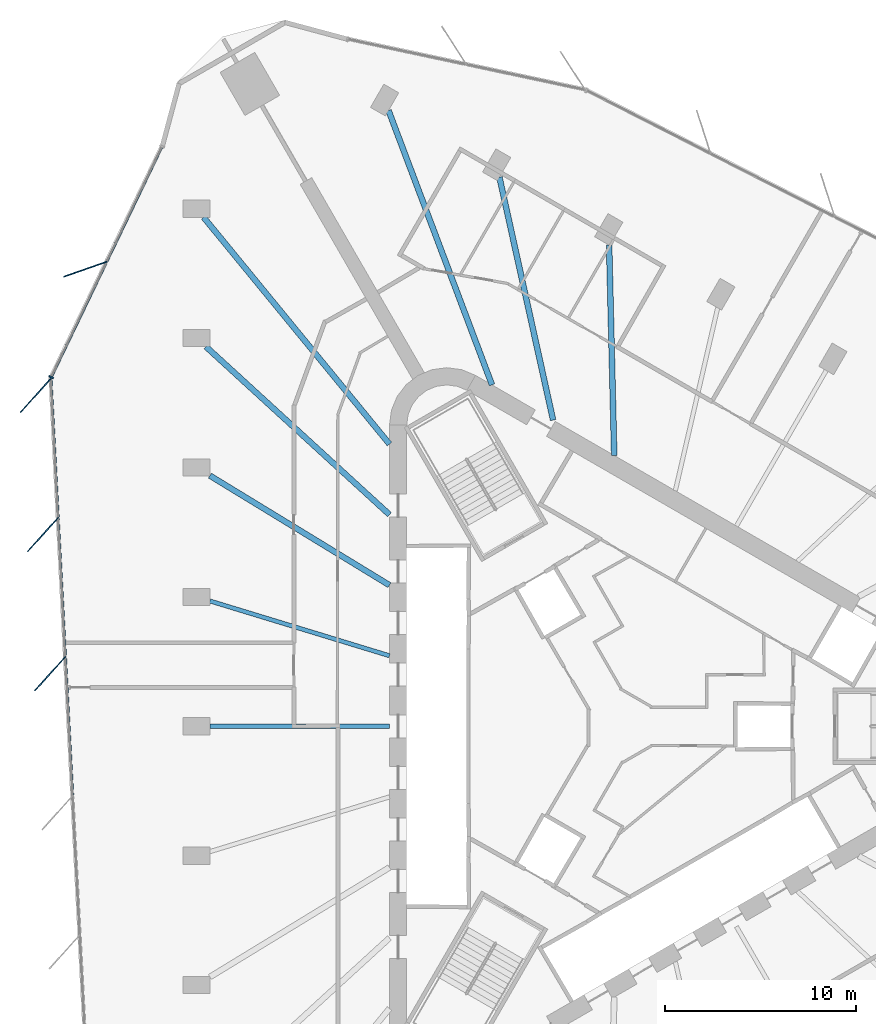
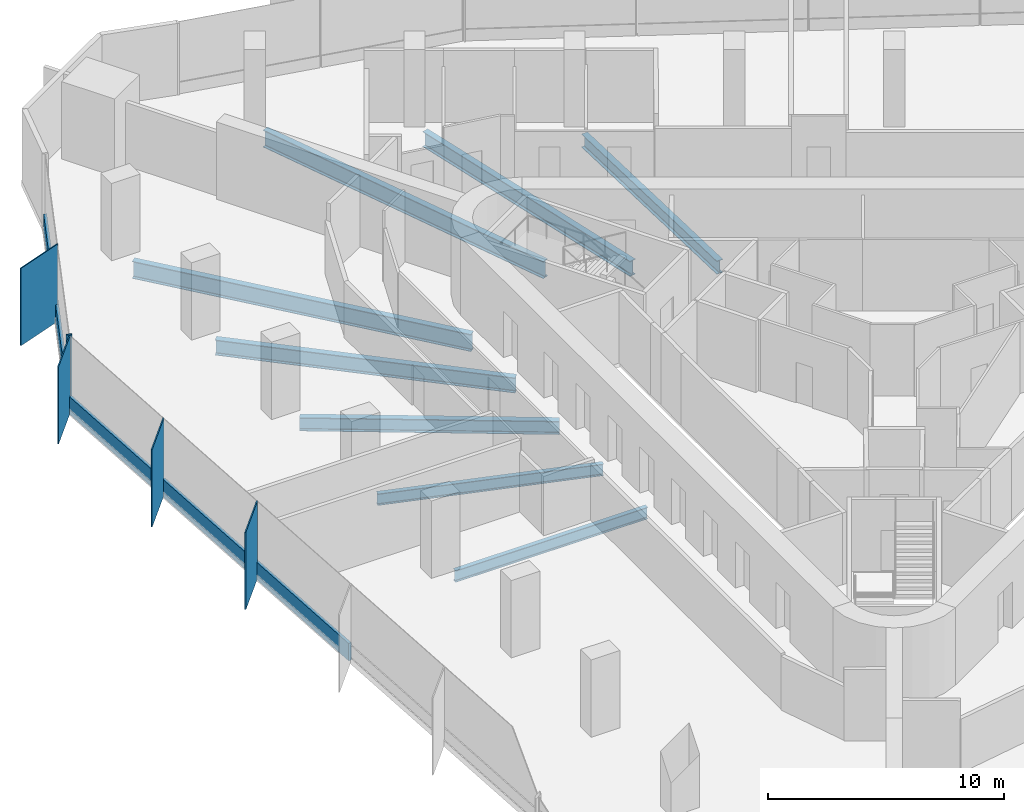
# One storey, part 4 of 14: 10 members, 8 beams, 2 elements without a shape of their own.
"""IFC4 building model written with IfcOpenShell, lengths in metres."""

import ifcopenshell
import ifcopenshell.guid

model = None  # the IFC model being written
_history = None  # IfcOwnerHistory: only IFC2X3 demands one
_inside = {}  # id of a spatial element -> (the spatial element, [elements in it])
_under = {}  # id of a project, library or spatial element -> (it, [spatial elements below it])
_declared = {}  # id of a project -> (the project, [libraries it declares])
_typed = {}  # id of a type object -> (the type object, [elements of that type])
_made_of = {}  # id of a material, layer set ... -> (it, [elements and type objects made of it])


def new_model(schema):
    """Start an empty IFC model of exactly this schema.

    Asked for "IFC4X3", IfcOpenShell would pick the latest addendum, in which some entities
    have other attributes; the version numbers below select the first issue.
    IFC2X3 requires an IfcOwnerHistory on every rooted entity: one is made here for all.
    """
    global model, _history
    if schema == "IFC4X3":
        model = ifcopenshell.file(schema_version=(4, 3, 0, 0))
    else:
        model = ifcopenshell.file(schema=schema)
    _inside.clear()
    _under.clear()
    _declared.clear()
    _typed.clear()
    _made_of.clear()
    _history = None
    if model.schema == "IFC2X3":
        org = make("IfcOrganization", Name="unknown")
        user = make(
            "IfcPersonAndOrganization",
            ThePerson=make("IfcPerson", FamilyName="unknown"),
            TheOrganization=org,
        )
        app = make(
            "IfcApplication",
            ApplicationDeveloper=org,
            Version="unknown",
            ApplicationFullName="unknown",
            ApplicationIdentifier="unknown",
        )
        _history = make(
            "IfcOwnerHistory",
            OwningUser=user,
            OwningApplication=app,
            ChangeAction="ADDED",
            CreationDate=0,
        )
    return model


def make(cls, **values):
    """One entity of the class cls with the attributes given. An attribute that is None is left unset."""
    return model.create_entity(
        cls, **{name: value for name, value in values.items() if value is not None}
    )


def rooted(cls, **values):
    """An entity with a GlobalId (a new one), such as an element, a storey or a relation."""
    return make(cls, GlobalId=ifcopenshell.guid.new(), OwnerHistory=_history, **values)


def si_unit(unit_type, name, prefix=None):
    """IfcSIUnit, for example si_unit("LENGTHUNIT", "METRE", prefix="MILLI")."""
    return make("IfcSIUnit", UnitType=unit_type, Prefix=prefix, Name=name)


def assignment(units):
    """IfcUnitAssignment: the units of a project."""
    return None if units is None else make("IfcUnitAssignment", Units=units)


def point(xyz):
    """IfcCartesianPoint."""
    return None if xyz is None else make("IfcCartesianPoint", Coordinates=xyz)


def direction(xyz):
    """IfcDirection."""
    return None if xyz is None else make("IfcDirection", DirectionRatios=xyz)


def frame(location, z_axis=None, x_axis=None):
    """IfcAxis2Placement3D, a coordinate frame: its origin and axes. An axis left out is left unset."""
    return make(
        "IfcAxis2Placement3D",
        Location=point(location),
        Axis=direction(z_axis),
        RefDirection=direction(x_axis),
    )


def frame_2d(location, x_axis=None):
    """IfcAxis2Placement2D, a coordinate frame in the plane: its origin and x axis."""
    return make(
        "IfcAxis2Placement2D", Location=point(location), RefDirection=direction(x_axis)
    )


def origin():
    """The frame at (0, 0, 0) with its axes left unset."""
    return frame((0.0, 0.0, 0.0))


def origin_2d():
    """The frame at (0, 0) in the plane with its x axis left unset."""
    return frame_2d((0.0, 0.0))


def place(relative_to, where):
    """IfcLocalPlacement: puts the frame where relative to a parent placement (None: the world)."""
    return make(
        "IfcLocalPlacement", PlacementRelTo=relative_to, RelativePlacement=where
    )


def context(
    kind, dimensions, precision=None, world=None, true_north=None, identifier=None
):
    """IfcGeometricRepresentationContext, for example the 3D "Model" context."""
    return make(
        "IfcGeometricRepresentationContext",
        ContextIdentifier=identifier,
        ContextType=kind,
        CoordinateSpaceDimension=dimensions,
        Precision=precision,
        WorldCoordinateSystem=world,
        TrueNorth=true_north,
    )


def subcontext(parent, identifier, kind, view, scale=None):
    """IfcGeometricRepresentationSubContext, for example "Body" below "Model"."""
    return make(
        "IfcGeometricRepresentationSubContext",
        ContextIdentifier=identifier,
        ContextType=kind,
        ParentContext=parent,
        TargetScale=scale,
        TargetView=view,
    )


def project(units=None, contexts=None):
    """IfcProject with its units and contexts."""
    return rooted(
        "IfcProject",
        Name="project",
        RepresentationContexts=contexts,
        UnitsInContext=assignment(units),
    )


def spatial(cls, under=None, at=None, **own):
    """A site, building, storey or space (cls), placed at a placement, below another one or the project."""
    s = rooted(cls, ObjectPlacement=at, **own)
    if under is not None:
        _under.setdefault(under.id(), (under, []))[1].append(s)
    return s


def profile(cls, at=None, kind="AREA", **sizes):
    """A parametric profile (cls). Its sizes go by their IFC names, for example OverallWidth=200.0."""
    return make(cls, ProfileType=kind, Position=at, **sizes)


def rectangle(**sizes):
    """IfcRectangleProfileDef."""
    return profile("IfcRectangleProfileDef", **sizes)


def i_section(**sizes):
    """IfcIShapeProfileDef."""
    return profile("IfcIShapeProfileDef", **sizes)


def extrude(swept, where, along, depth):
    """IfcExtrudedAreaSolid: the profile swept, set in the frame where, extruded along a direction by depth."""
    return make(
        "IfcExtrudedAreaSolid",
        SweptArea=swept,
        Position=where,
        ExtrudedDirection=direction(along),
        Depth=depth,
    )


def shape(context_of_items, identifier, shape_type, items):
    """IfcShapeRepresentation: the items that make up one representation, for example the "Body"."""
    return make(
        "IfcShapeRepresentation",
        ContextOfItems=context_of_items,
        RepresentationIdentifier=identifier,
        RepresentationType=shape_type,
        Items=items,
    )


def material(Name=None, Category=None):
    """IfcMaterial."""
    return make("IfcMaterial", Name=Name, Category=Category)


def material_profile(
    of_material, cross_section, Name=None, Category=None, Priority=None
):
    """IfcMaterialProfile: a cross section and its material."""
    return make(
        "IfcMaterialProfile",
        Name=Name,
        Material=of_material,
        Profile=cross_section,
        Priority=Priority,
        Category=Category,
    )


def profile_set(profiles, Name=None, composite=None):
    """IfcMaterialProfileSet."""
    return make(
        "IfcMaterialProfileSet",
        Name=Name,
        MaterialProfiles=profiles,
        CompositeProfile=composite,
    )


def made_of(thing, what):
    """Note that an element or type object is made of a material, layer set ...; save() writes the relation."""
    if what is not None:
        _made_of.setdefault(what.id(), (what, []))[1].append(thing)
    return thing


def type_object(cls, material=None, **own):
    """A type object (cls), such as IfcWallType, which elements share."""
    return made_of(rooted(cls, **own), material)


def element(
    cls,
    number,
    at=None,
    inside=None,
    cuts=None,
    type_object=None,
    material=None,
    context=None,
    identifier="Body",
    shape_type=None,
    held_by="IfcProductDefinitionShape",
    body=None,
    shapes=None,
    **own,
):
    """One element of the class cls, such as IfcWall. Its Tag is "e" and its number.

    at: its placement. inside: the storey or other place that contains it. cuts: it is an
    opening in that element (IfcRelVoidsElement). A single representation is given by context,
    identifier, shape_type and body (its items); several are given by shapes. held_by: the class
    of the entity that holds the representations. save() writes the other relations.
    """
    e = rooted(cls, Tag="e%d" % number, ObjectPlacement=at, **own)
    if body is not None:
        shapes = [shape(context, identifier, shape_type, body)]
    if shapes is not None:
        e.Representation = make(held_by, Representations=shapes)
    if inside is not None:
        _inside.setdefault(inside.id(), (inside, []))[1].append(e)
    if cuts is not None:
        rooted(
            "IfcRelVoidsElement", RelatingBuildingElement=cuts, RelatedOpeningElement=e
        )
    if type_object is not None:
        _typed.setdefault(type_object.id(), (type_object, []))[1].append(e)
    return made_of(e, material)


def aggregate(whole, parts):
    """IfcRelAggregates: a whole, such as a stair, and the parts it consists of."""
    return rooted("IfcRelAggregates", RelatingObject=whole, RelatedObjects=parts)


def save(model, path):
    """Write the relations noted so far, then the file.

    IfcRelAggregates (storeys below a building ...), IfcRelContainedInSpatialStructure (elements
    in a storey), IfcRelDefinesByType, IfcRelAssociatesMaterial and IfcRelDeclares: one each for
    every whole, place, type object, material and project.
    """
    for whole, parts in _under.values():
        aggregate(whole, parts)
    for where, things in _inside.values():
        rooted(
            "IfcRelContainedInSpatialStructure",
            RelatedElements=things,
            RelatingStructure=where,
        )
    for kind, things in _typed.values():
        rooted("IfcRelDefinesByType", RelatedObjects=things, RelatingType=kind)
    for what, things in _made_of.values():
        rooted("IfcRelAssociatesMaterial", RelatedObjects=things, RelatingMaterial=what)
    for by, libraries in _declared.values():
        rooted("IfcRelDeclares", RelatingContext=by, RelatedDefinitions=libraries)
    model.write(path)


model = new_model("IFC4")

# Units and contexts
model_context = context("Model", 3, precision=1e-05, world=origin(), true_north=direction((0.0, 1.0)))
body_context = subcontext(model_context, "Body", "Model", "MODEL_VIEW")
ifc_project = project(units=[si_unit("LENGTHUNIT", "METRE"), si_unit("AREAUNIT", "SQUARE_METRE"), si_unit("VOLUMEUNIT", "CUBIC_METRE"), si_unit("PLANEANGLEUNIT", "RADIAN"), si_unit("MASSUNIT", "GRAM", prefix="KILO")], contexts=[model_context])

# Site, building, storey
site_placement = place(None, origin())
site = spatial("IfcSite", under=ifc_project, at=site_placement, CompositionType="ELEMENT")
building_placement = place(site_placement, origin())
building = spatial("IfcBuilding", under=site, at=building_placement, Name="Tanit Gate Tower", CompositionType="ELEMENT")
storey_placement = place(building_placement, frame((0.0, 0.0, 209.199951171875)))
storey = spatial("IfcBuildingStorey", under=building, at=storey_placement, Name="L46", CompositionType="ELEMENT", Elevation=209.199951171875)

# Curtain wall, member
ifc_material_1 = material(Name="Aluminium bronze anodised and glass", Category="aluminium")
curtain_wall_type = type_object("IfcCurtainWallType", Name="Curtain wall typical mid", PredefinedType="NOTDEFINED", material=ifc_material_1)
curtain_wall_1_placement = place(storey_placement, origin())
curtain_wall_1 = element("IfcCurtainWall", 1, at=curtain_wall_1_placement, inside=storey, type_object=curtain_wall_type, Name="Curtain wall L46 W1", PredefinedType="NOTDEFINED")
ifc_material_2 = material(Name="Aluminium bronze anodised", Category="aluminium")
ifc_material_profile_1 = material_profile(ifc_material_2, rectangle(XDim=2.39990234375, YDim=0.055908203125, at=origin_2d()), Name="56x2400 bronze fin mullion")
ifc_profile_set_1 = profile_set([ifc_material_profile_1], Name="Aluminium bronze anodised")
member_type_1 = type_object("IfcMemberType", Name="FIN MULLION 56x2400 bronze", PredefinedType="MULLION", material=ifc_profile_set_1)
member_1_placement = place(storey_placement, frame((-28.01513671875, 23.9140625, -0.300048828125), z_axis=(0.0, 0.0, 1.0), x_axis=(0.943579951423, 0.331144795026, 0.0)))
member_1 = element("IfcMember", 2, at=member_1_placement, type_object=member_type_1, Name="Fin mullion L46 W1.2", PredefinedType="MULLION", context=body_context, shape_type="SweptSolid", body=[
    extrude(rectangle(XDim=2.39990234375, YDim=0.055908203125, at=origin_2d()), origin(), (0.0, 0.0, 1.0), 4.0),
])

# Curtain wall, members
curtain_wall_2_placement = place(storey_placement, origin())
curtain_wall_2 = element("IfcCurtainWall", 3, at=curtain_wall_2_placement, inside=storey, type_object=curtain_wall_type, Name="Curtain wall L46 W2", PredefinedType="NOTDEFINED")
member_2_placement = place(storey_placement, frame((-30.60888671875, 17.31298828125, -0.300048828125), z_axis=(0.0, 0.0, 1.0), x_axis=(0.669378375715, 0.742921658135, 0.0)))
member_2 = element("IfcMember", 4, at=member_2_placement, type_object=member_type_1, Name="Fin mullion L46 W2.1", PredefinedType="MULLION", context=body_context, shape_type="SweptSolid", body=[
    extrude(rectangle(XDim=2.39990234375, YDim=0.055908203125, at=origin_2d()), origin(), (0.0, 0.0, 1.0), 4.0),
])
member_3_placement = place(storey_placement, frame((-30.22998046875, 10.037109375, -0.300048828125), z_axis=(0.0, 0.0, 1.0), x_axis=(0.669378375715, 0.742921658135, 0.0)))
member_3 = element("IfcMember", 5, at=member_3_placement, type_object=member_type_1, Name="Fin mullion L46 W2.2", PredefinedType="MULLION", context=body_context, shape_type="SweptSolid", body=[
    extrude(rectangle(XDim=2.39990234375, YDim=0.055908203125, at=origin_2d()), origin(), (0.0, 0.0, 1.0), 4.0),
])
member_4_placement = place(storey_placement, frame((-29.85107421875, 2.760986328125, -0.300048828125), z_axis=(0.0, 0.0, 1.0), x_axis=(0.669378375715, 0.742921658135, 0.0)))
member_4 = element("IfcMember", 6, at=member_4_placement, type_object=member_type_1, Name="Fin mullion L46 W2.3", PredefinedType="MULLION", context=body_context, shape_type="SweptSolid", body=[
    extrude(rectangle(XDim=2.39990234375, YDim=0.055908203125, at=origin_2d()), origin(), (0.0, 0.0, 1.0), 4.0),
])

# Member
ifc_material_3 = material(Name="Aluminium bronze anodised", Category="aluminium")
ifc_material_profile_2 = material_profile(ifc_material_3, rectangle(XDim=0.260009765625, YDim=0.080078125, at=origin_2d()), Name="80x260 bronze mullion")
ifc_profile_set_2 = profile_set([ifc_material_profile_2], Name="Aluminium bronze anodised")
member_type_2 = type_object("IfcMemberType", Name="Mullion 80x260 typical mid", PredefinedType="MULLION", material=ifc_profile_set_2)
member_5_placement = place(storey_placement, frame((-29.8046875, 18.264892578125, -0.300048828125), z_axis=(0.0, 0.0, 1.0), x_axis=(0.90136651236, -0.433057052125, 0.0)))
member_5 = element("IfcMember", 7, at=member_5_placement, type_object=member_type_2, Name="Mullion L46 W1.3", PredefinedType="MULLION", context=body_context, shape_type="SweptSolid", body=[
    extrude(rectangle(XDim=0.260009765625, YDim=0.080078125, at=origin_2d()), origin(), (0.0, 0.0, 1.0), 4.0),
])

# Beams
ifc_material_4 = material(Name="Steel S355", Category="steel")
ifc_material_profile_3 = material_profile(ifc_material_4, i_section(OverallWidth=0.300048828125, OverallDepth=0.68994140625, WebThickness=0.014404296875, FlangeThickness=0.027099609375, FilletRadius=0.027099609375, at=origin_2d()), Name="HEA 700")
ifc_profile_set_3 = profile_set([ifc_material_profile_3], Name="Steel S355")
beam_type_1 = type_object("IfcBeamType", Name="RADIAL GIRDER HEA 700 S355", PredefinedType="BEAM", material=ifc_profile_set_3)
for number, where, z_axis, x_axis, name in (
    (8, (-0.609375, 25.17431640625, -0.64501953125), (0.024202383749, -0.999707079409, 0.0), (0.999707079409, 0.024202383749, 0.0), "RADIAL GIRDER"),
    (9, (-21.4970703125, 13.114990234375, -0.64501953125), (0.853674218832, -0.520807380997, 0.0), (0.520807380997, 0.853674218832, 0.0), "RADIAL GIRDER"),
):
    element("IfcBeam", number, at=place(storey_placement, frame(where, z_axis=z_axis, x_axis=x_axis)), inside=storey, type_object=beam_type_1, Name=name, PredefinedType="BEAM", context=body_context, shape_type="SweptSolid", body=[
        extrude(i_section(OverallWidth=0.300048828125, OverallDepth=0.68994140625, WebThickness=0.014404296875, FlangeThickness=0.027099609375, FilletRadius=0.027099609375, at=origin_2d()), origin(), (0.0, 0.0, 1.0), 11.00537109375),
    ])
ifc_material_5 = material(Name="Steel S355", Category="steel")
ifc_material_profile_4 = material_profile(ifc_material_5, i_section(OverallWidth=0.300048828125, OverallDepth=0.7900390625, WebThickness=0.014892578125, FlangeThickness=0.028076171875, FilletRadius=0.030029296875, at=origin_2d()), Name="HEA 800")
ifc_profile_set_4 = profile_set([ifc_material_profile_4], Name="Steel S355")
beam_type_2 = type_object("IfcBeamType", Name="RADIAL GIRDER HEA 800 S355", PredefinedType="BEAM", material=ifc_profile_set_4)
for number, where, z_axis, x_axis, name in (
    (10, (-6.349365234375, 28.728759765625, -0.695068359375), (0.21581230457, -0.976434866848, 0.0), (0.976434866848, 0.21581230457, 0.0), "RADIAL GIRDER"),
    (11, (-21.705322265625, 19.86279296875, -0.695068359375), (0.737724522126, -0.675101865983, 0.0), (0.675101865983, 0.737724522126, 0.0), "RADIAL GIRDER"),
):
    element("IfcBeam", number, at=place(storey_placement, frame(where, z_axis=z_axis, x_axis=x_axis)), inside=storey, type_object=beam_type_2, Name=name, PredefinedType="BEAM", context=body_context, shape_type="SweptSolid", body=[
        extrude(i_section(OverallWidth=0.300048828125, OverallDepth=0.7900390625, WebThickness=0.014892578125, FlangeThickness=0.028076171875, FilletRadius=0.030029296875, at=origin_2d()), origin(), (0.0, 0.0, 1.0), 13.017333984375),
    ])
ifc_material_6 = material(Name="Steel S355", Category="steel")
ifc_material_profile_5 = material_profile(ifc_material_6, i_section(OverallWidth=0.300048828125, OverallDepth=0.889892578125, WebThickness=0.01611328125, FlangeThickness=0.030029296875, FilletRadius=0.030029296875, at=origin_2d()), Name="HEA 900")
ifc_profile_set_5 = profile_set([ifc_material_profile_5], Name="Steel S355")
beam_type_3 = type_object("IfcBeamType", Name="RADIAL GIRDER HEA 900 S355", PredefinedType="BEAM", material=ifc_profile_set_5)
beam_1_placement = place(storey_placement, frame((-12.151611328125, 32.220703125, -0.744873046875), z_axis=(0.352876972664, -0.935669729212, 0.0), x_axis=(0.935669729212, 0.352876972664, 0.0)))
element("IfcBeam", 12, at=beam_1_placement, inside=storey, type_object=beam_type_3, Name="RADIAL GIRDER", PredefinedType="BEAM", context=body_context, shape_type="SweptSolid", body=[
    extrude(i_section(OverallWidth=0.300048828125, OverallDepth=0.889892578125, WebThickness=0.01611328125, FlangeThickness=0.030029296875, FilletRadius=0.030029296875, at=origin_2d()), origin(), (0.0, 0.0, 1.0), 15.343994140625),
])
beam_2_placement = place(storey_placement, frame((-21.828125, 26.6337890625, -0.744873046875), z_axis=(0.633876155271, -0.77343456076, 0.0), x_axis=(0.77343456076, 0.633876155271, 0.0)))
element("IfcBeam", 13, at=beam_2_placement, inside=storey, type_object=beam_type_3, Name="RADIAL GIRDER", PredefinedType="BEAM", context=body_context, shape_type="SweptSolid", body=[
    extrude(i_section(OverallWidth=0.300048828125, OverallDepth=0.889892578125, WebThickness=0.01611328125, FlangeThickness=0.030029296875, FilletRadius=0.030029296875, at=origin_2d()), origin(), (0.0, 0.0, 1.0), 15.34375),
])
ifc_material_7 = material(Name="Steel S355", Category="steel")
ifc_material_profile_6 = material_profile(ifc_material_7, i_section(OverallWidth=0.219970703125, OverallDepth=0.60009765625, WebThickness=0.011962890625, FlangeThickness=0.01904296875, FilletRadius=0.02392578125, at=origin_2d()), Name="IPE 600")
ifc_profile_set_6 = profile_set([ifc_material_profile_6], Name="Steel S355")
beam_type_4 = type_object("IfcBeamType", Name="RADIAL GIRDER IPE 600 S355", PredefinedType="BEAM", material=ifc_profile_set_6)
beam_3_placement = place(storey_placement, frame((-21.4970703125, 6.5576171875, -0.599853515625), z_axis=(0.956486148302, -0.291777737511, 0.0), x_axis=(0.291777737511, 0.956486148302, 0.0)))
element("IfcBeam", 14, at=beam_3_placement, inside=storey, type_object=beam_type_4, Name="RADIAL GIRDER", PredefinedType="BEAM", context=body_context, shape_type="SweptSolid", body=[
    extrude(i_section(OverallWidth=0.219970703125, OverallDepth=0.60009765625, WebThickness=0.011962890625, FlangeThickness=0.01904296875, FilletRadius=0.02392578125, at=origin_2d()), origin(), (0.0, 0.0, 1.0), 9.822509765625),
])
beam_4_placement = place(storey_placement, frame((-21.4970703125, 0.0, -0.599853515625), z_axis=(1.0, 0.0, 0.0), x_axis=(0.0, 1.0, 0.0)))
element("IfcBeam", 15, at=beam_4_placement, inside=storey, type_object=beam_type_4, Name="RADIAL GIRDER", PredefinedType="BEAM", context=body_context, shape_type="SweptSolid", body=[
    extrude(i_section(OverallWidth=0.219970703125, OverallDepth=0.60009765625, WebThickness=0.011962890625, FlangeThickness=0.01904296875, FilletRadius=0.02392578125, at=origin_2d()), origin(), (0.0, 0.0, 1.0), 9.39501953125),
])

# Member
ifc_material_8 = material(Name="Aluminium bronze anodised", Category="aluminium")
ifc_material_profile_7 = material_profile(ifc_material_8, rectangle(XDim=0.139892578125, YDim=0.89990234375, at=origin_2d()), Name="140x900 bronze transom")
ifc_profile_set_7 = profile_set([ifc_material_profile_7], Name="Aluminium bronze anodised")
member_type_3 = type_object("IfcMemberType", Name="Transom 140x900 typical mid", PredefinedType="USERDEFINED", material=ifc_profile_set_7)
member_6_placement = place(storey_placement, frame((-24.0185546875, 30.307861328125, 0.150146484375), z_axis=(-0.433041543584, -0.901373963197, 0.0), x_axis=(0.901373963197, -0.433041543584, 0.0)))
member_6 = element("IfcMember", 16, at=member_6_placement, type_object=member_type_3, Name="Transom L46 W1.1", ObjectType="TRANSOM", PredefinedType="USERDEFINED", context=body_context, shape_type="SweptSolid", body=[
    extrude(rectangle(XDim=0.139892578125, YDim=0.89990234375, at=origin_2d()), origin(), (0.0, 0.0, 1.0), 6.620361328125),
])

member_7_placement = place(storey_placement, frame((-26.920166015625, 24.268310546875, 0.150146484375), z_axis=(-0.433071504157, -0.901359568811, 0.0), x_axis=(0.901359568811, -0.433071504157, 0.0)))
member_7 = element("IfcMember", 17, at=member_7_placement, type_object=member_type_3, Name="Transom L46 W1.2", ObjectType="TRANSOM", PredefinedType="USERDEFINED", context=body_context, shape_type="SweptSolid", body=[
    extrude(rectangle(XDim=0.139892578125, YDim=0.89990234375, at=origin_2d()), origin(), (0.0, 0.0, 1.0), 6.62060546875),
])

aggregate(curtain_wall_1, [member_1, member_5, member_6, member_7])

member_8_placement = place(storey_placement, frame((-29.81787109375, 18.14892578125, 0.150146484375), z_axis=(0.052005794951, -0.998646783048, 0.0), x_axis=(0.998646783048, 0.052005794951, 0.0)))
member_8 = element("IfcMember", 18, at=member_8_placement, type_object=member_type_3, Name="Transom L46 W2.1", ObjectType="TRANSOM", PredefinedType="USERDEFINED", context=body_context, shape_type="SweptSolid", body=[
    extrude(rectangle(XDim=0.139892578125, YDim=0.89990234375, at=origin_2d()), origin(), (0.0, 0.0, 1.0), 7.2060546875),
])

member_9_placement = place(storey_placement, frame((-29.43896484375, 10.872802734375, 0.150146484375), z_axis=(0.052007554582, -0.998646691411, 0.0), x_axis=(0.998646691411, 0.052007554582, 0.0)))
member_9 = element("IfcMember", 19, at=member_9_placement, type_object=member_type_3, Name="Transom L46 W2.2", ObjectType="TRANSOM", PredefinedType="USERDEFINED", context=body_context, shape_type="SweptSolid", body=[
    extrude(rectangle(XDim=0.139892578125, YDim=0.89990234375, at=origin_2d()), origin(), (0.0, 0.0, 1.0), 7.205810546875),
])

member_10_placement = place(storey_placement, frame((-29.06005859375, 3.596923828125, 0.150146484375), z_axis=(0.052005794951, -0.998646783048, 0.0), x_axis=(0.998646783048, 0.052005794951, 0.0)))
member_10 = element("IfcMember", 20, at=member_10_placement, type_object=member_type_3, Name="Transom L46 W2.3", ObjectType="TRANSOM", PredefinedType="USERDEFINED", context=body_context, shape_type="SweptSolid", body=[
    extrude(rectangle(XDim=0.139892578125, YDim=0.89990234375, at=origin_2d()), origin(), (0.0, 0.0, 1.0), 7.2060546875),
])

aggregate(curtain_wall_2, [member_2, member_3, member_4, member_8, member_9, member_10])

save(model, "model.ifc")
